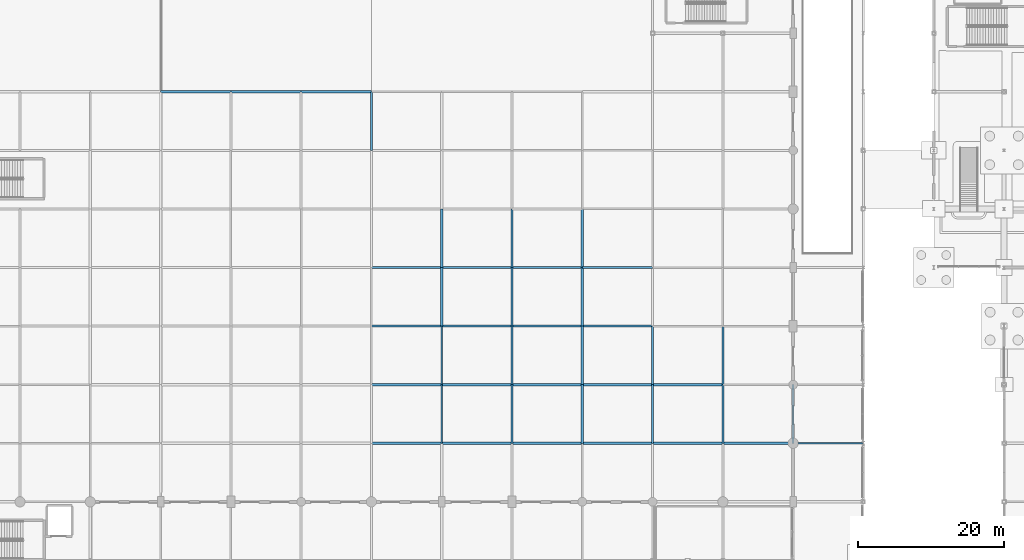
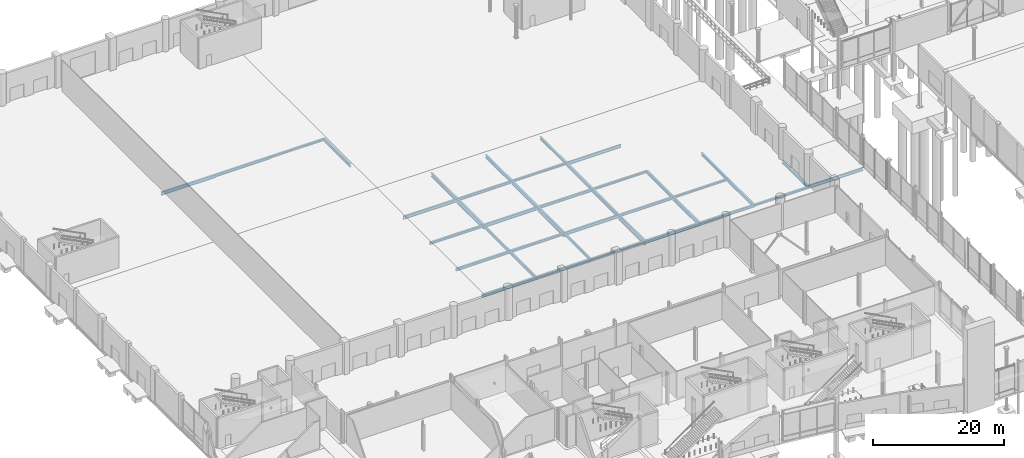
# One storey, part 49 of 124: 41 beams.
"""IFC4 building model written with IfcOpenShell, lengths in metres."""

from ifc_helpers import new_model, si_unit, direction, frame, origin, origin_2d, place, context, subcontext, project, spatial, i_section, extrude, material, material_profile, profile_set, type_object, element, save


model = new_model("IFC4")

# Units and contexts
model_context = context("Model", 3, precision=1e-05, world=origin(), true_north=direction((0.0, 1.0)))
body_context = subcontext(model_context, "Body", "Model", "MODEL_VIEW")
ifc_project = project(units=[si_unit("LENGTHUNIT", "METRE"), si_unit("AREAUNIT", "SQUARE_METRE"), si_unit("VOLUMEUNIT", "CUBIC_METRE"), si_unit("PLANEANGLEUNIT", "RADIAN"), si_unit("MASSUNIT", "GRAM", prefix="KILO")], contexts=[model_context])

# Site, building, storey
site_placement = place(None, origin())
site = spatial("IfcSite", under=ifc_project, at=site_placement, CompositionType="ELEMENT")
building_placement = place(site_placement, origin())
building = spatial("IfcBuilding", under=site, at=building_placement, Name="Danafjord Basin Convention Centre", CompositionType="ELEMENT")
storey_placement = place(building_placement, origin())
storey = spatial("IfcBuildingStorey", under=building, at=storey_placement, Name="L00", CompositionType="ELEMENT", Elevation=0.0)

# Beams
ifc_material = material(Name="Steel S355", Category="steel")
ifc_material_profile_1 = material_profile(ifc_material, i_section(OverallWidth=0.300048828125, OverallDepth=0.389892578125, WebThickness=0.010986328125, FlangeThickness=0.01904296875, FilletRadius=0.027099609375, at=origin_2d()), Name="HEA 400")
ifc_profile_set_1 = profile_set([ifc_material_profile_1], Name="Steel S355")
beam_type_1 = type_object("IfcBeamType", Name="BEAM-BM-HEA400", PredefinedType="BEAM", material=ifc_profile_set_1)
beam_1_placement = place(storey_placement, frame((48.0, 112.0, -0.614990234375), z_axis=(1.0, 0.0, 0.0), x_axis=(0.0, 1.0, 0.0)))
element("IfcBeam", 1, at=beam_1_placement, inside=storey, type_object=beam_type_1, Name="L00 girder BM-HEA400", PredefinedType="BEAM", context=body_context, shape_type="SweptSolid", body=[
    extrude(i_section(OverallWidth=0.300048828125, OverallDepth=0.389892578125, WebThickness=0.010986328125, FlangeThickness=0.01904296875, FilletRadius=0.027099609375, at=origin_2d()), origin(), (0.0, 0.0, 1.0), 9.60009765625),
])
beam_2_placement = place(storey_placement, frame((76.800048828125, 88.0, -0.64501953125), z_axis=(1.0, 0.0, 0.0), x_axis=(0.0, 1.0, 0.0)))
element("IfcBeam", 2, at=beam_2_placement, inside=storey, type_object=beam_type_1, Name="L00 girder BM-HEA400", PredefinedType="BEAM", context=body_context, shape_type="SweptSolid", body=[
    extrude(i_section(OverallWidth=0.300048828125, OverallDepth=0.389892578125, WebThickness=0.010986328125, FlangeThickness=0.01904296875, FilletRadius=0.027099609375, at=origin_2d()), origin(), (0.0, 0.0, 1.0), 9.599853515625),
])
for number, where, z_axis, x_axis, name in (
    (3, (86.39990234375, 80.0, -0.64501953125), (1.0, 0.0, 0.0), (0.0, 1.0, 0.0), "L00 girder BM-HEA400"),
    (4, (96.0, 72.0, -0.64501953125), (1.0, 0.0, 0.0), (0.0, 1.0, 0.0), "L00 girder BM-HEA400"),
):
    element("IfcBeam", number, at=place(storey_placement, frame(where, z_axis=z_axis, x_axis=x_axis)), inside=storey, type_object=beam_type_1, Name=name, PredefinedType="BEAM", context=body_context, shape_type="SweptSolid", body=[
        extrude(i_section(OverallWidth=0.300048828125, OverallDepth=0.389892578125, WebThickness=0.010986328125, FlangeThickness=0.01904296875, FilletRadius=0.027099609375, at=origin_2d()), origin(), (0.0, 0.0, 1.0), 9.60009765625),
    ])
beam_3_placement = place(storey_placement, frame((105.60009765625, 64.0, -0.64501953125), z_axis=(1.0, 0.0, 0.0), x_axis=(0.0, 1.0, 0.0)))
element("IfcBeam", 5, at=beam_3_placement, inside=storey, type_object=beam_type_1, Name="L00 girder BM-HEA400", PredefinedType="BEAM", context=body_context, shape_type="SweptSolid", body=[
    extrude(i_section(OverallWidth=0.300048828125, OverallDepth=0.389892578125, WebThickness=0.010986328125, FlangeThickness=0.01904296875, FilletRadius=0.027099609375, at=origin_2d()), origin(), (0.0, 0.0, 1.0), 9.599853515625),
])
ifc_material_profile_2 = material_profile(ifc_material, i_section(OverallWidth=0.300048828125, OverallDepth=0.489990234375, WebThickness=0.011962890625, FlangeThickness=0.02294921875, FilletRadius=0.027099609375, at=origin_2d()), Name="HEA 500")
ifc_profile_set_2 = profile_set([ifc_material_profile_2], Name="Steel S355")
beam_type_2 = type_object("IfcBeamType", Name="BEAM-BM-HEA500", PredefinedType="BEAM", material=ifc_profile_set_2)
for number, where, z_axis, x_axis, name in (
    (6, (38.39990234375, 112.0, -0.6650390625), (1.0, 0.0, 0.0), (0.0, 1.0, 0.0), "L00 girder BM-HEA500"),
    (7, (67.199951171875, 88.0, -0.695068359375), (1.0, 0.0, 0.0), (0.0, 1.0, 0.0), "L00 girder BM-HEA500"),
):
    element("IfcBeam", number, at=place(storey_placement, frame(where, z_axis=z_axis, x_axis=x_axis)), inside=storey, type_object=beam_type_2, Name=name, PredefinedType="BEAM", context=body_context, shape_type="SweptSolid", body=[
        extrude(i_section(OverallWidth=0.300048828125, OverallDepth=0.489990234375, WebThickness=0.011962890625, FlangeThickness=0.02294921875, FilletRadius=0.027099609375, at=origin_2d()), origin(), (0.0, 0.0, 1.0), 9.60009765625),
    ])
beam_4_placement = place(storey_placement, frame((76.800048828125, 80.0, -0.695068359375), z_axis=(1.0, 0.0, 0.0), x_axis=(0.0, 1.0, 0.0)))
element("IfcBeam", 8, at=beam_4_placement, inside=storey, type_object=beam_type_2, Name="L00 girder BM-HEA500", PredefinedType="BEAM", context=body_context, shape_type="SweptSolid", body=[
    extrude(i_section(OverallWidth=0.300048828125, OverallDepth=0.489990234375, WebThickness=0.011962890625, FlangeThickness=0.02294921875, FilletRadius=0.027099609375, at=origin_2d()), origin(), (0.0, 0.0, 1.0), 9.599853515625),
])
for number, where, z_axis, x_axis, name in (
    (9, (86.39990234375, 72.0, -0.695068359375), (1.0, 0.0, 0.0), (0.0, 1.0, 0.0), "L00 girder BM-HEA500"),
    (10, (96.0, 64.0, -0.695068359375), (1.0, 0.0, 0.0), (0.0, 1.0, 0.0), "L00 girder BM-HEA500"),
):
    element("IfcBeam", number, at=place(storey_placement, frame(where, z_axis=z_axis, x_axis=x_axis)), inside=storey, type_object=beam_type_2, Name=name, PredefinedType="BEAM", context=body_context, shape_type="SweptSolid", body=[
        extrude(i_section(OverallWidth=0.300048828125, OverallDepth=0.489990234375, WebThickness=0.011962890625, FlangeThickness=0.02294921875, FilletRadius=0.027099609375, at=origin_2d()), origin(), (0.0, 0.0, 1.0), 9.60009765625),
    ])
ifc_material_profile_3 = material_profile(ifc_material, i_section(OverallWidth=0.300048828125, OverallDepth=0.590087890625, WebThickness=0.012939453125, FlangeThickness=0.02490234375, FilletRadius=0.027099609375, at=origin_2d()), Name="HEA 600")
ifc_profile_set_3 = profile_set([ifc_material_profile_3], Name="Steel S355")
beam_type_3 = type_object("IfcBeamType", Name="BEAM-BM-HEA600", PredefinedType="BEAM", material=ifc_profile_set_3)
for number, where, z_axis, x_axis, name in (
    (11, (28.800048828125, 112.0, -0.715087890625), (1.0, 0.0, 0.0), (0.0, 1.0, 0.0), "L00 girder BM-HEA600"),
    (12, (57.60009765625, 88.0, -0.7451171875), (1.0, 0.0, 0.0), (0.0, 1.0, 0.0), "L00 girder BM-HEA600"),
):
    element("IfcBeam", number, at=place(storey_placement, frame(where, z_axis=z_axis, x_axis=x_axis)), inside=storey, type_object=beam_type_3, Name=name, PredefinedType="BEAM", context=body_context, shape_type="SweptSolid", body=[
        extrude(i_section(OverallWidth=0.300048828125, OverallDepth=0.590087890625, WebThickness=0.012939453125, FlangeThickness=0.02490234375, FilletRadius=0.027099609375, at=origin_2d()), origin(), (0.0, 0.0, 1.0), 9.599853515625),
    ])
beam_5_placement = place(storey_placement, frame((67.199951171875, 80.0, -0.7451171875), z_axis=(1.0, 0.0, 0.0), x_axis=(0.0, 1.0, 0.0)))
element("IfcBeam", 13, at=beam_5_placement, inside=storey, type_object=beam_type_3, Name="L00 girder BM-HEA600", PredefinedType="BEAM", context=body_context, shape_type="SweptSolid", body=[
    extrude(i_section(OverallWidth=0.300048828125, OverallDepth=0.590087890625, WebThickness=0.012939453125, FlangeThickness=0.02490234375, FilletRadius=0.027099609375, at=origin_2d()), origin(), (0.0, 0.0, 1.0), 9.60009765625),
])
beam_6_placement = place(storey_placement, frame((76.800048828125, 72.0, -0.7451171875), z_axis=(1.0, 0.0, 0.0), x_axis=(0.0, 1.0, 0.0)))
element("IfcBeam", 14, at=beam_6_placement, inside=storey, type_object=beam_type_3, Name="L00 girder BM-HEA600", PredefinedType="BEAM", context=body_context, shape_type="SweptSolid", body=[
    extrude(i_section(OverallWidth=0.300048828125, OverallDepth=0.590087890625, WebThickness=0.012939453125, FlangeThickness=0.02490234375, FilletRadius=0.027099609375, at=origin_2d()), origin(), (0.0, 0.0, 1.0), 9.599853515625),
])
beam_7_placement = place(storey_placement, frame((86.39990234375, 64.0, -0.7451171875), z_axis=(1.0, 0.0, 0.0), x_axis=(0.0, 1.0, 0.0)))
element("IfcBeam", 15, at=beam_7_placement, inside=storey, type_object=beam_type_3, Name="L00 girder BM-HEA600", PredefinedType="BEAM", context=body_context, shape_type="SweptSolid", body=[
    extrude(i_section(OverallWidth=0.300048828125, OverallDepth=0.590087890625, WebThickness=0.012939453125, FlangeThickness=0.02490234375, FilletRadius=0.027099609375, at=origin_2d()), origin(), (0.0, 0.0, 1.0), 9.60009765625),
])
ifc_material_profile_4 = material_profile(ifc_material, i_section(OverallWidth=0.300048828125, OverallDepth=0.449951171875, WebThickness=0.013916015625, FlangeThickness=0.02587890625, FilletRadius=0.027099609375, at=origin_2d()), Name="HEB 450")
ifc_profile_set_4 = profile_set([ifc_material_profile_4], Name="Steel S355")
beam_type_4 = type_object("IfcBeamType", Name="BEAM-BM-HEB450", PredefinedType="BEAM", material=ifc_profile_set_4)
beam_8_placement = place(storey_placement, frame((57.60009765625, 80.0, -0.675048828125), z_axis=(1.0, 0.0, 0.0), x_axis=(0.0, 1.0, 0.0)))
element("IfcBeam", 16, at=beam_8_placement, inside=storey, type_object=beam_type_4, Name="L00 girder BM-HEB450", PredefinedType="BEAM", context=body_context, shape_type="SweptSolid", body=[
    extrude(i_section(OverallWidth=0.300048828125, OverallDepth=0.449951171875, WebThickness=0.013916015625, FlangeThickness=0.02587890625, FilletRadius=0.027099609375, at=origin_2d()), origin(), (0.0, 0.0, 1.0), 9.599853515625),
])
beam_9_placement = place(storey_placement, frame((67.199951171875, 72.0, -0.675048828125), z_axis=(1.0, 0.0, 0.0), x_axis=(0.0, 1.0, 0.0)))
element("IfcBeam", 17, at=beam_9_placement, inside=storey, type_object=beam_type_4, Name="L00 girder BM-HEB450", PredefinedType="BEAM", context=body_context, shape_type="SweptSolid", body=[
    extrude(i_section(OverallWidth=0.300048828125, OverallDepth=0.449951171875, WebThickness=0.013916015625, FlangeThickness=0.02587890625, FilletRadius=0.027099609375, at=origin_2d()), origin(), (0.0, 0.0, 1.0), 9.60009765625),
])
beam_10_placement = place(storey_placement, frame((76.800048828125, 64.0, -0.675048828125), z_axis=(1.0, 0.0, 0.0), x_axis=(0.0, 1.0, 0.0)))
element("IfcBeam", 18, at=beam_10_placement, inside=storey, type_object=beam_type_4, Name="L00 girder BM-HEB450", PredefinedType="BEAM", context=body_context, shape_type="SweptSolid", body=[
    extrude(i_section(OverallWidth=0.300048828125, OverallDepth=0.449951171875, WebThickness=0.013916015625, FlangeThickness=0.02587890625, FilletRadius=0.027099609375, at=origin_2d()), origin(), (0.0, 0.0, 1.0), 9.599853515625),
])
ifc_material_profile_5 = material_profile(ifc_material, i_section(OverallWidth=0.300048828125, OverallDepth=0.5, WebThickness=0.014404296875, FlangeThickness=0.028076171875, FilletRadius=0.027099609375, at=origin_2d()), Name="HEB 500")
ifc_profile_set_5 = profile_set([ifc_material_profile_5], Name="Steel S355")
beam_type_5 = type_object("IfcBeamType", Name="BEAM-BM-HEB500", PredefinedType="BEAM", material=ifc_profile_set_5)
beam_11_placement = place(storey_placement, frame((57.60009765625, 72.0, -0.699951171875), z_axis=(1.0, 0.0, 0.0), x_axis=(0.0, 1.0, 0.0)))
element("IfcBeam", 19, at=beam_11_placement, inside=storey, type_object=beam_type_5, Name="L00 girder BM-HEB500", PredefinedType="BEAM", context=body_context, shape_type="SweptSolid", body=[
    extrude(i_section(OverallWidth=0.300048828125, OverallDepth=0.5, WebThickness=0.014404296875, FlangeThickness=0.028076171875, FilletRadius=0.027099609375, at=origin_2d()), origin(), (0.0, 0.0, 1.0), 9.599853515625),
])
beam_12_placement = place(storey_placement, frame((67.199951171875, 64.0, -0.699951171875), z_axis=(1.0, 0.0, 0.0), x_axis=(0.0, 1.0, 0.0)))
element("IfcBeam", 20, at=beam_12_placement, inside=storey, type_object=beam_type_5, Name="L00 girder BM-HEB500", PredefinedType="BEAM", context=body_context, shape_type="SweptSolid", body=[
    extrude(i_section(OverallWidth=0.300048828125, OverallDepth=0.5, WebThickness=0.014404296875, FlangeThickness=0.028076171875, FilletRadius=0.027099609375, at=origin_2d()), origin(), (0.0, 0.0, 1.0), 9.60009765625),
])
for number, where, z_axis, x_axis, name in (
    (21, (86.39990234375, 88.0, -0.699951171875), (0.0, 1.0, 0.0), (-1.0, 0.0, 0.0), "L00 transverse girder BM-HEB500"),
    (22, (105.60009765625, 72.0, -0.699951171875), (0.0, 1.0, 0.0), (-1.0, 0.0, 0.0), "L00 transverse girder BM-HEB500"),
    (23, (115.199951171875, 64.0, -0.699951171875), (0.0, 1.0, 0.0), (-1.0, 0.0, 0.0), "L00 transverse girder BM-HEB500"),
):
    element("IfcBeam", number, at=place(storey_placement, frame(where, z_axis=z_axis, x_axis=x_axis)), inside=storey, type_object=beam_type_5, Name=name, PredefinedType="BEAM", context=body_context, shape_type="SweptSolid", body=[
        extrude(i_section(OverallWidth=0.300048828125, OverallDepth=0.5, WebThickness=0.014404296875, FlangeThickness=0.028076171875, FilletRadius=0.027099609375, at=origin_2d()), origin(), (0.0, 0.0, 1.0), 8.0),
    ])
ifc_material_profile_6 = material_profile(ifc_material, i_section(OverallWidth=0.300048828125, OverallDepth=0.550048828125, WebThickness=0.014892578125, FlangeThickness=0.029052734375, FilletRadius=0.027099609375, at=origin_2d()), Name="HEB 550")
ifc_profile_set_6 = profile_set([ifc_material_profile_6], Name="Steel S355")
beam_type_6 = type_object("IfcBeamType", Name="BEAM-BM-HEB550", PredefinedType="BEAM", material=ifc_profile_set_6)
beam_13_placement = place(storey_placement, frame((57.60009765625, 64.0, -0.72509765625), z_axis=(1.0, 0.0, 0.0), x_axis=(0.0, 1.0, 0.0)))
element("IfcBeam", 24, at=beam_13_placement, inside=storey, type_object=beam_type_6, Name="L00 girder BM-HEB550", PredefinedType="BEAM", context=body_context, shape_type="SweptSolid", body=[
    extrude(i_section(OverallWidth=0.300048828125, OverallDepth=0.550048828125, WebThickness=0.014892578125, FlangeThickness=0.029052734375, FilletRadius=0.027099609375, at=origin_2d()), origin(), (0.0, 0.0, 1.0), 9.599853515625),
])
ifc_material_profile_7 = material_profile(ifc_material, i_section(OverallWidth=0.300048828125, OverallDepth=0.60009765625, WebThickness=0.015380859375, FlangeThickness=0.030029296875, FilletRadius=0.027099609375, at=origin_2d()), Name="HEB 600")
ifc_profile_set_7 = profile_set([ifc_material_profile_7], Name="Steel S355")
beam_type_7 = type_object("IfcBeamType", Name="BEAM-BM-HEB600", PredefinedType="BEAM", material=ifc_profile_set_7)
for number, where, z_axis, x_axis, name in (
    (25, (57.60009765625, 104.0, -0.719970703125), (0.0, 1.0, 0.0), (-1.0, 0.0, 0.0), "L00 transverse girder BM-HEB600"),
    (26, (76.800048828125, 88.0, -0.75), (0.0, 1.0, 0.0), (-1.0, 0.0, 0.0), "L00 transverse girder BM-HEB600"),
    (27, (86.39990234375, 80.0, -0.75), (0.0, 1.0, 0.0), (-1.0, 0.0, 0.0), "L00 transverse girder BM-HEB600"),
    (28, (96.0, 72.0, -0.75), (0.0, 1.0, 0.0), (-1.0, 0.0, 0.0), "L00 transverse girder BM-HEB600"),
    (29, (105.60009765625, 64.0, -0.75), (0.0, 1.0, 0.0), (-1.0, 0.0, 0.0), "L00 transverse girder BM-HEB600"),
):
    element("IfcBeam", number, at=place(storey_placement, frame(where, z_axis=z_axis, x_axis=x_axis)), inside=storey, type_object=beam_type_7, Name=name, PredefinedType="BEAM", context=body_context, shape_type="SweptSolid", body=[
        extrude(i_section(OverallWidth=0.300048828125, OverallDepth=0.60009765625, WebThickness=0.015380859375, FlangeThickness=0.030029296875, FilletRadius=0.027099609375, at=origin_2d()), origin(), (0.0, 0.0, 1.0), 8.0),
    ])
ifc_material_profile_8 = material_profile(ifc_material, i_section(OverallWidth=0.300048828125, OverallDepth=0.699951171875, WebThickness=0.01708984375, FlangeThickness=0.031982421875, FilletRadius=0.027099609375, at=origin_2d()), Name="HEB 700")
ifc_profile_set_8 = profile_set([ifc_material_profile_8], Name="Steel S355")
beam_type_8 = type_object("IfcBeamType", Name="BEAM-BM-HEB700", PredefinedType="BEAM", material=ifc_profile_set_8)
for number, where, z_axis, x_axis, name in (
    (30, (67.199951171875, 88.0, -0.800048828125), (0.0, 1.0, 0.0), (-1.0, 0.0, 0.0), "L00 transverse girder BM-HEB700"),
    (31, (76.800048828125, 80.0, -0.800048828125), (0.0, 1.0, 0.0), (-1.0, 0.0, 0.0), "L00 transverse girder BM-HEB700"),
    (32, (86.39990234375, 72.0, -0.800048828125), (0.0, 1.0, 0.0), (-1.0, 0.0, 0.0), "L00 transverse girder BM-HEB700"),
    (33, (96.0, 64.0, -0.800048828125), (0.0, 1.0, 0.0), (-1.0, 0.0, 0.0), "L00 transverse girder BM-HEB700"),
):
    element("IfcBeam", number, at=place(storey_placement, frame(where, z_axis=z_axis, x_axis=x_axis)), inside=storey, type_object=beam_type_8, Name=name, PredefinedType="BEAM", context=body_context, shape_type="SweptSolid", body=[
        extrude(i_section(OverallWidth=0.300048828125, OverallDepth=0.699951171875, WebThickness=0.01708984375, FlangeThickness=0.031982421875, FilletRadius=0.027099609375, at=origin_2d()), origin(), (0.0, 0.0, 1.0), 8.0),
    ])
ifc_material_profile_9 = material_profile(ifc_material, i_section(OverallWidth=0.300048828125, OverallDepth=0.89990234375, WebThickness=0.0185546875, FlangeThickness=0.034912109375, FilletRadius=0.030029296875, at=origin_2d()), Name="HEB 900")
ifc_profile_set_9 = profile_set([ifc_material_profile_9], Name="Steel S355")
beam_type_9 = type_object("IfcBeamType", Name="BEAM-BM-HEB900", PredefinedType="BEAM", material=ifc_profile_set_9)
for number, where, z_axis, x_axis, name in (
    (34, (67.199951171875, 80.0, -0.89990234375), (0.0, 1.0, 0.0), (-1.0, 0.0, 0.0), "L00 transverse girder BM-HEB900"),
    (35, (76.800048828125, 72.0, -0.89990234375), (0.0, 1.0, 0.0), (-1.0, 0.0, 0.0), "L00 transverse girder BM-HEB900"),
    (36, (86.39990234375, 64.0, -0.89990234375), (0.0, 1.0, 0.0), (-1.0, 0.0, 0.0), "L00 transverse girder BM-HEB900"),
):
    element("IfcBeam", number, at=place(storey_placement, frame(where, z_axis=z_axis, x_axis=x_axis)), inside=storey, type_object=beam_type_9, Name=name, PredefinedType="BEAM", context=body_context, shape_type="SweptSolid", body=[
        extrude(i_section(OverallWidth=0.300048828125, OverallDepth=0.89990234375, WebThickness=0.0185546875, FlangeThickness=0.034912109375, FilletRadius=0.030029296875, at=origin_2d()), origin(), (0.0, 0.0, 1.0), 8.0),
    ])
ifc_material_profile_10 = material_profile(ifc_material, i_section(OverallWidth=0.2099609375, OverallDepth=0.550048828125, WebThickness=0.010986328125, FlangeThickness=0.01708984375, FilletRadius=0.02392578125, at=origin_2d()), Name="IPE 550")
ifc_profile_set_10 = profile_set([ifc_material_profile_10], Name="Steel S355")
beam_type_10 = type_object("IfcBeamType", Name="BEAM-BM-IPE550", PredefinedType="BEAM", material=ifc_profile_set_10)
for number, where, z_axis, x_axis, name in (
    (37, (67.199951171875, 72.0, -0.72509765625), (0.0, 1.0, 0.0), (-1.0, 0.0, 0.0), "L00 transverse girder BM-IPE550"),
    (38, (76.800048828125, 64.0, -0.72509765625), (0.0, 1.0, 0.0), (-1.0, 0.0, 0.0), "L00 transverse girder BM-IPE550"),
):
    element("IfcBeam", number, at=place(storey_placement, frame(where, z_axis=z_axis, x_axis=x_axis)), inside=storey, type_object=beam_type_10, Name=name, PredefinedType="BEAM", context=body_context, shape_type="SweptSolid", body=[
        extrude(i_section(OverallWidth=0.2099609375, OverallDepth=0.550048828125, WebThickness=0.010986328125, FlangeThickness=0.01708984375, FilletRadius=0.02392578125, at=origin_2d()), origin(), (0.0, 0.0, 1.0), 8.0),
    ])
ifc_material_profile_11 = material_profile(ifc_material, i_section(OverallWidth=0.219970703125, OverallDepth=0.60009765625, WebThickness=0.011962890625, FlangeThickness=0.01904296875, FilletRadius=0.02392578125, at=origin_2d()), Name="IPE 600")
ifc_profile_set_11 = profile_set([ifc_material_profile_11], Name="Steel S355")
beam_type_11 = type_object("IfcBeamType", Name="BEAM-BM-IPE600", PredefinedType="BEAM", material=ifc_profile_set_11)
for number, where, z_axis, x_axis, name in (
    (39, (86.39990234375, 88.0, -0.75), (1.0, 0.0, 0.0), (0.0, 1.0, 0.0), "L00 girder BM-IPE600"),
    (40, (115.199951171875, 64.0, -0.590087890625), (1.0, 0.0, 0.0), (0.0, 1.0, 0.0), "L00 girder BM-IPE600"),
):
    element("IfcBeam", number, at=place(storey_placement, frame(where, z_axis=z_axis, x_axis=x_axis)), inside=storey, type_object=beam_type_11, Name=name, PredefinedType="BEAM", context=body_context, shape_type="SweptSolid", body=[
        extrude(i_section(OverallWidth=0.219970703125, OverallDepth=0.60009765625, WebThickness=0.011962890625, FlangeThickness=0.01904296875, FilletRadius=0.02392578125, at=origin_2d()), origin(), (0.0, 0.0, 1.0), 9.60009765625),
    ])
beam_14_placement = place(storey_placement, frame((67.199951171875, 64.0, -0.75), z_axis=(0.0, 1.0, 0.0), x_axis=(-1.0, 0.0, 0.0)))
element("IfcBeam", 41, at=beam_14_placement, inside=storey, type_object=beam_type_11, Name="L00 transverse girder BM-IPE600", PredefinedType="BEAM", context=body_context, shape_type="SweptSolid", body=[
    extrude(i_section(OverallWidth=0.219970703125, OverallDepth=0.60009765625, WebThickness=0.011962890625, FlangeThickness=0.01904296875, FilletRadius=0.02392578125, at=origin_2d()), origin(), (0.0, 0.0, 1.0), 8.0),
])

save(model, "model.ifc")
